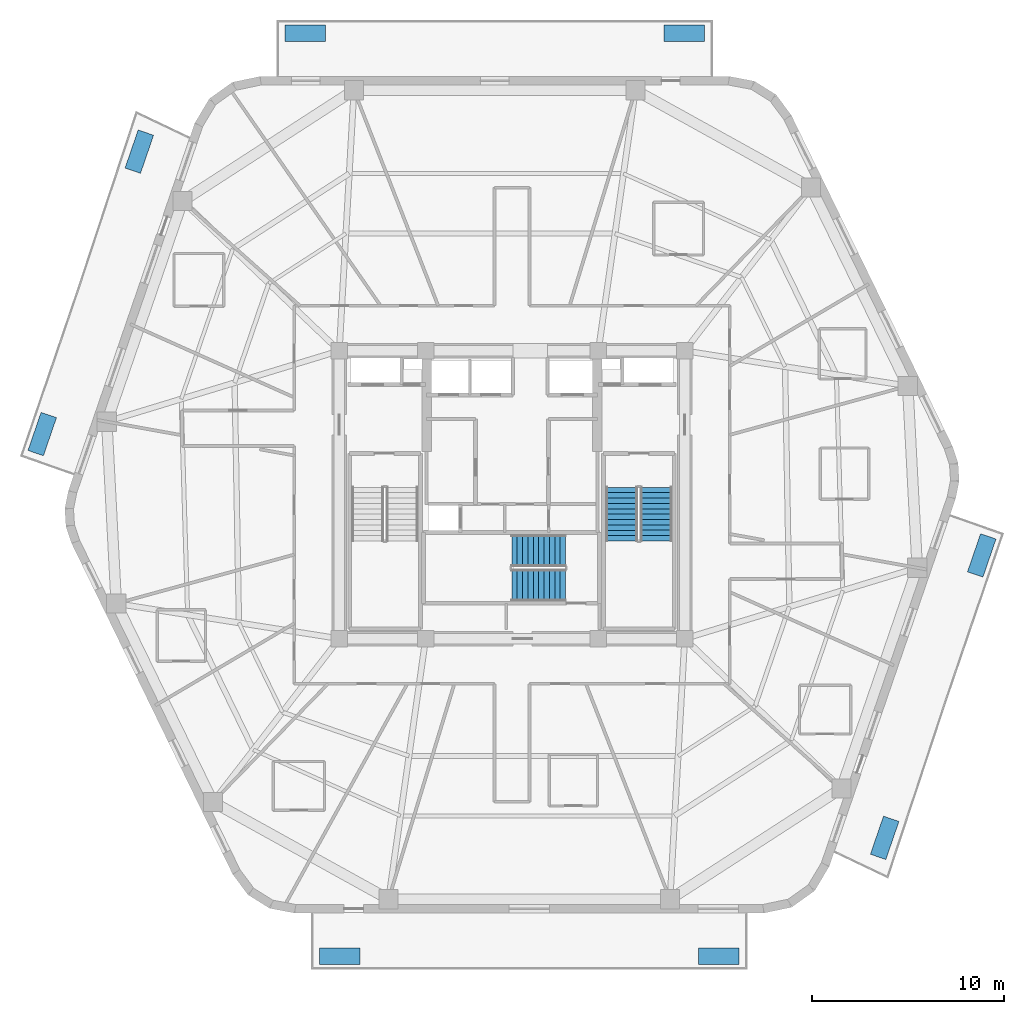
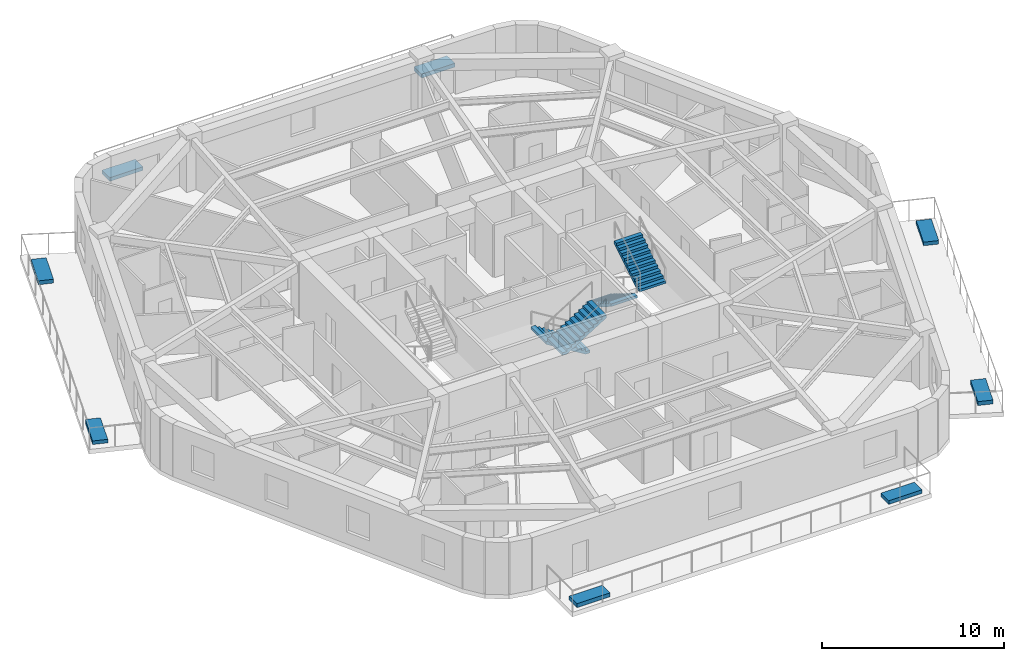
# One storey, part 7 of 9: 8 discrete accessories, 4 stair flights, 2 elements without a shape of their own.
"""IFC4 building model written with IfcOpenShell, lengths in metres."""

from ifc_helpers import new_model, si_unit, direction, frame, origin, origin_2d, place, context, subcontext, project, spatial, polyline, rectangle, outline, extrude, material, type_object, element, aggregate, save


model = new_model("IFC4")

# Units and contexts
model_context = context("Model", 3, precision=1e-05, world=origin(), true_north=direction((0.0, 1.0)))
body_context = subcontext(model_context, "Body", "Model", "MODEL_VIEW")
ifc_project = project(units=[si_unit("LENGTHUNIT", "METRE"), si_unit("AREAUNIT", "SQUARE_METRE"), si_unit("VOLUMEUNIT", "CUBIC_METRE"), si_unit("PLANEANGLEUNIT", "RADIAN"), si_unit("MASSUNIT", "GRAM", prefix="KILO")], contexts=[model_context])

# Site, building, storey
site_placement = place(None, origin())
site = spatial("IfcSite", under=ifc_project, at=site_placement, CompositionType="ELEMENT")
building_placement = place(site_placement, origin())
building = spatial("IfcBuilding", under=site, at=building_placement, Name="Kilnhurst Terrace Hotel", CompositionType="ELEMENT")
storey_placement = place(building_placement, frame((0.0, 0.0, 225.5)))
storey = spatial("IfcBuildingStorey", under=building, at=storey_placement, Name="L56", CompositionType="ELEMENT", Elevation=225.5)

# Stair, stair flights
ifc_material_1 = material(Name="Concrete C50/60", Category="concrete")
stair_type = type_object("IfcStairType", Name="STR-CORE-1660", PredefinedType="HALF_TURN_STAIR", material=ifc_material_1)
stair_1_placement = place(storey_placement, origin())
stair_1 = element("IfcStair", 1, at=stair_1_placement, inside=storey, type_object=stair_type, Name="L56 ST-2", PredefinedType="HALF_TURN_STAIR")
stair_flight_type = type_object("IfcStairFlightType", Name="FLT-RC-1660", PredefinedType="STRAIGHT", material=ifc_material_1)
stair_flight_1_placement = place(storey_placement, frame((5.7099609375, 0.389892578125, 0.0), z_axis=(0.0, 0.0, 1.0), x_axis=(0.0, -1.0, 0.0)))
stair_flight_1 = element("IfcStairFlight", 2, at=stair_flight_1_placement, type_object=stair_flight_type, Name="ST-2 flight 1", NumberOfRisers=11, NumberOfTreads=10, PredefinedType="STRAIGHT", RiserHeight=0.172727273, TreadLength=0.28, context=body_context, shape_type="SweptSolid", body=[
    extrude(outline(polyline([(0.0, 0.0), (0.0, 0.172607421875), (0.280029296875, 0.172607421875), (0.280029296875, 0.345458984375), (0.56005859375, 0.345458984375), (0.56005859375, 0.51806640625), (0.840087890625, 0.51806640625), (0.840087890625, 0.69091796875), (1.1201171875, 0.69091796875), (1.1201171875, 0.863525390625), (1.39990234375, 0.863525390625), (1.39990234375, 1.036376953125), (1.679931640625, 1.036376953125), (1.679931640625, 1.208984375), (1.9599609375, 1.208984375), (1.9599609375, 1.3818359375), (2.239990234375, 1.3818359375), (2.239990234375, 1.554443359375), (2.52001953125, 1.554443359375), (2.52001953125, 1.727294921875), (2.800048828125, 1.727294921875), (2.800048828125, 1.89990234375), (2.800048828125, 1.551025390625), (0.285400390625, 0.0), (0.0, 0.0)])), frame((0.0, 0.830078125, 0.0), z_axis=(0.0, -1.0, 0.0), x_axis=(1.0, 0.0, 0.0)), (0.0, 0.0, 1.0), 1.659912109375),
])
stair_flight_2_placement = place(storey_placement, frame((7.52001953125, -2.409912109375, 1.89990234375), z_axis=(0.0, 0.0, 1.0), x_axis=(0.0, 1.0, 0.0)))
stair_flight_2 = element("IfcStairFlight", 3, at=stair_flight_2_placement, type_object=stair_flight_type, Name="ST-2 flight 2", NumberOfRisers=11, NumberOfTreads=10, PredefinedType="STRAIGHT", RiserHeight=0.172727273, TreadLength=0.28, context=body_context, shape_type="SweptSolid", body=[
    extrude(outline(polyline([(0.0, 0.0), (0.0, 0.172607421875), (0.280029296875, 0.172607421875), (0.280029296875, 0.345458984375), (0.56005859375, 0.345458984375), (0.56005859375, 0.51806640625), (0.840087890625, 0.51806640625), (0.840087890625, 0.69091796875), (1.1201171875, 0.69091796875), (1.1201171875, 0.863525390625), (1.39990234375, 0.863525390625), (1.39990234375, 1.036376953125), (1.679931640625, 1.036376953125), (1.679931640625, 1.208984375), (1.9599609375, 1.208984375), (1.9599609375, 1.3818359375), (2.239990234375, 1.3818359375), (2.239990234375, 1.554443359375), (2.52001953125, 1.554443359375), (2.52001953125, 1.727294921875), (2.800048828125, 1.727294921875), (2.800048828125, 1.89990234375), (2.800048828125, 1.551025390625), (0.285400390625, 0.0), (0.0, 0.0)])), frame((0.0, 0.830078125, 0.0), z_axis=(0.0, -1.0, 0.0), x_axis=(1.0, 0.0, 0.0)), (0.0, 0.0, 1.0), 1.659912109375),
])
aggregate(stair_1, [stair_flight_1, stair_flight_2])

stair_2_placement = place(storey_placement, origin())
stair_2 = element("IfcStair", 4, at=stair_2_placement, inside=storey, type_object=stair_type, Name="L56 ST-3", PredefinedType="HALF_TURN_STAIR")
stair_flight_3_placement = place(storey_placement, frame((2.7900390625, -2.909912109375, 0.0), z_axis=(0.0, 0.0, 1.0), x_axis=(-1.0, 0.0, 0.0)))
stair_flight_3 = element("IfcStairFlight", 5, at=stair_flight_3_placement, type_object=stair_flight_type, Name="ST-3 flight 1", NumberOfRisers=11, NumberOfTreads=10, PredefinedType="STRAIGHT", RiserHeight=0.172727273, TreadLength=0.28, context=body_context, shape_type="SweptSolid", body=[
    extrude(outline(polyline([(0.0, 0.0), (0.0, 0.172607421875), (0.280029296875, 0.172607421875), (0.280029296875, 0.345458984375), (0.56005859375, 0.345458984375), (0.56005859375, 0.51806640625), (0.840087890625, 0.51806640625), (0.840087890625, 0.69091796875), (1.1201171875, 0.69091796875), (1.1201171875, 0.863525390625), (1.39990234375, 0.863525390625), (1.39990234375, 1.036376953125), (1.679931640625, 1.036376953125), (1.679931640625, 1.208984375), (1.9599609375, 1.208984375), (1.9599609375, 1.3818359375), (2.239990234375, 1.3818359375), (2.239990234375, 1.554443359375), (2.52001953125, 1.554443359375), (2.52001953125, 1.727294921875), (2.800048828125, 1.727294921875), (2.800048828125, 1.89990234375), (2.800048828125, 1.551025390625), (0.285400390625, 0.0), (0.0, 0.0)])), frame((0.0, 0.830078125, 0.0), z_axis=(0.0, -1.0, 0.0), x_axis=(1.0, 0.0, 0.0)), (0.0, 0.0, 1.0), 1.659912109375),
])
stair_flight_4_placement = place(storey_placement, frame((-0.010009765625, -4.719970703125, 1.89990234375), z_axis=(0.0, 0.0, 1.0), x_axis=(1.0, 0.0, 0.0)))
stair_flight_4 = element("IfcStairFlight", 6, at=stair_flight_4_placement, type_object=stair_flight_type, Name="ST-3 flight 2", NumberOfRisers=11, NumberOfTreads=10, PredefinedType="STRAIGHT", RiserHeight=0.172727273, TreadLength=0.28, context=body_context, shape_type="SweptSolid", body=[
    extrude(outline(polyline([(0.0, 0.0), (0.0, 0.172607421875), (0.280029296875, 0.172607421875), (0.280029296875, 0.345458984375), (0.56005859375, 0.345458984375), (0.56005859375, 0.51806640625), (0.840087890625, 0.51806640625), (0.840087890625, 0.69091796875), (1.1201171875, 0.69091796875), (1.1201171875, 0.863525390625), (1.39990234375, 0.863525390625), (1.39990234375, 1.036376953125), (1.679931640625, 1.036376953125), (1.679931640625, 1.208984375), (1.9599609375, 1.208984375), (1.9599609375, 1.3818359375), (2.239990234375, 1.3818359375), (2.239990234375, 1.554443359375), (2.52001953125, 1.554443359375), (2.52001953125, 1.727294921875), (2.800048828125, 1.727294921875), (2.800048828125, 1.89990234375), (2.800048828125, 1.551025390625), (0.285400390625, 0.0), (0.0, 0.0)])), frame((0.0, 0.830078125, 0.0), z_axis=(0.0, -1.0, 0.0), x_axis=(1.0, 0.0, 0.0)), (0.0, 0.0, 1.0), 1.659912109375),
])
aggregate(stair_2, [stair_flight_3, stair_flight_4])

# Discrete accessories
ifc_material_2 = material(Name="Precast Concrete C40/50 Shrub Planter", Category="concrete")
discrete_accessory_type_1 = type_object("IfcDiscreteAccessoryType", Name="PLN-SHRUB-240", PredefinedType="USERDEFINED", material=ifc_material_2)
for number, where, z_axis, x_axis, name in (
    (7, (10.77490234375, -24.050048828125, 0.0), (0.0, 0.0, 1.0), (1.0, 0.0, 0.0), "L56 Structural Tree Planter Box PLANTER BAL-L1A.2"),
    (8, (24.47998046875, -3.16259765625, 0.0), (0.0, 0.0, 1.0), (0.325089542819, 0.94568323933, 0.0), "L56 Structural Tree Planter Box PLANTER BAL-L1B.2"),
    (9, (-10.77490234375, 24.050048828125, 0.0), (0.0, 0.0, 1.0), (-1.0, 0.0, 0.0), "L56 Structural Tree Planter Box PLANTER BAL-L2A.2"),
    (10, (-24.47998046875, 3.16259765625, 0.0), (0.0, 0.0, 1.0), (-0.325089542819, -0.94568323933, 0.0), "L56 Structural Tree Planter Box PLANTER BAL-L2B.2"),
):
    element("IfcDiscreteAccessory", number, at=place(storey_placement, frame(where, z_axis=z_axis, x_axis=x_axis)), inside=storey, type_object=discrete_accessory_type_1, Name=name, ObjectType="PLANTER", PredefinedType="USERDEFINED", context=body_context, shape_type="SweptSolid", body=[
        extrude(rectangle(XDim=2.10009765625, YDim=0.85009765625, at=origin_2d()), origin(), (0.0, 0.0, 1.0), 0.239990234375),
    ])
ifc_material_3 = material(Name="Precast Concrete C40/50 Tree Planter", Category="concrete")
discrete_accessory_type_2 = type_object("IfcDiscreteAccessoryType", Name="PLN-TREE-260", PredefinedType="USERDEFINED", material=ifc_material_3)
for number, where, z_axis, x_axis, name in (
    (11, (-8.96875, -24.050048828125, 0.0), (0.0, 0.0, 1.0), (1.0, 0.0, 0.0), "L56 Structural Tree Planter Box PLANTER BAL-L1A.1"),
    (12, (19.4208984375, -17.87939453125, 0.0), (0.0, 0.0, 1.0), (0.325089542819, 0.94568323933, 0.0), "L56 Structural Tree Planter Box PLANTER BAL-L1B.1"),
    (13, (8.96875, 24.050048828125, 0.0), (0.0, 0.0, 1.0), (-1.0, 0.0, 0.0), "L56 Structural Tree Planter Box PLANTER BAL-L2A.1"),
    (14, (-19.4208984375, 17.87939453125, 0.0), (0.0, 0.0, 1.0), (-0.325089542819, -0.94568323933, 0.0), "L56 Structural Tree Planter Box PLANTER BAL-L2B.1"),
):
    element("IfcDiscreteAccessory", number, at=place(storey_placement, frame(where, z_axis=z_axis, x_axis=x_axis)), inside=storey, type_object=discrete_accessory_type_2, Name=name, ObjectType="PLANTER", PredefinedType="USERDEFINED", context=body_context, shape_type="SweptSolid", body=[
        extrude(rectangle(XDim=2.10009765625, YDim=0.85009765625, at=origin_2d()), origin(), (0.0, 0.0, 1.0), 0.260009765625),
    ])

save(model, "model.ifc")
